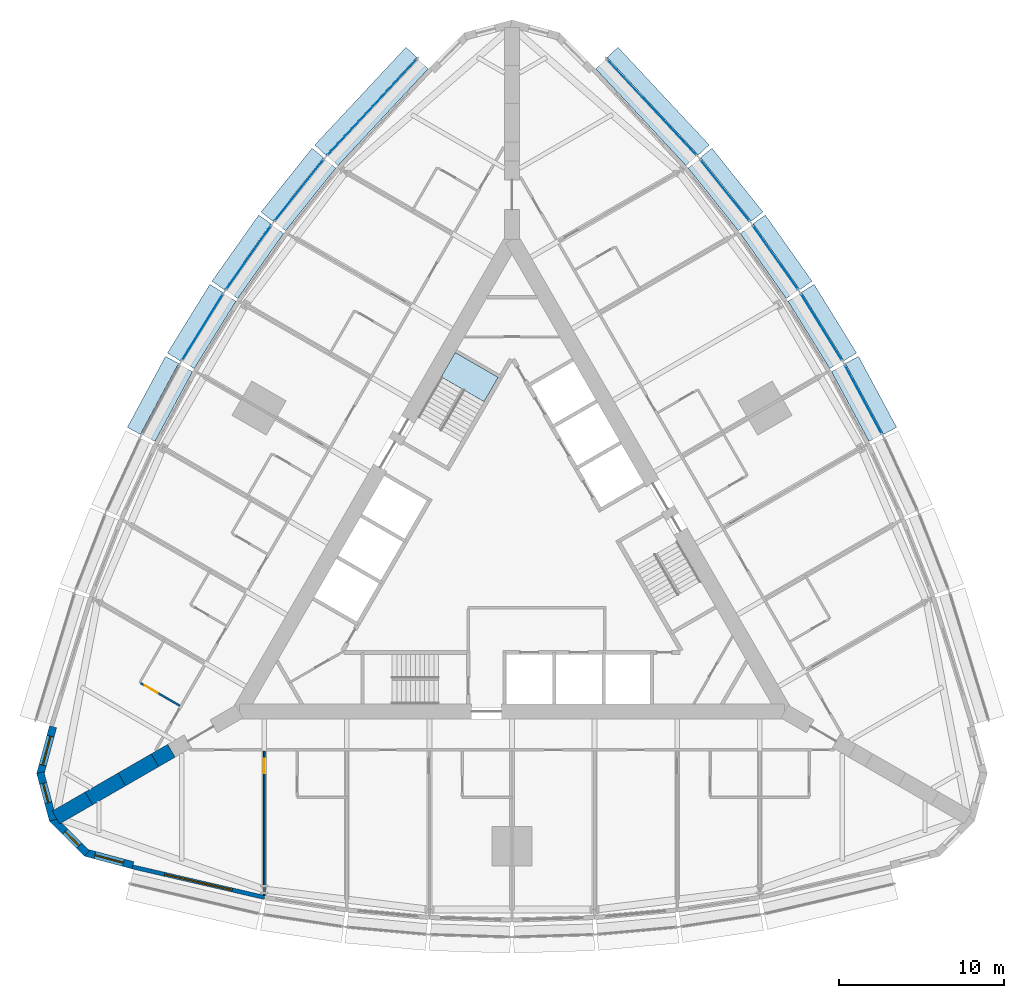
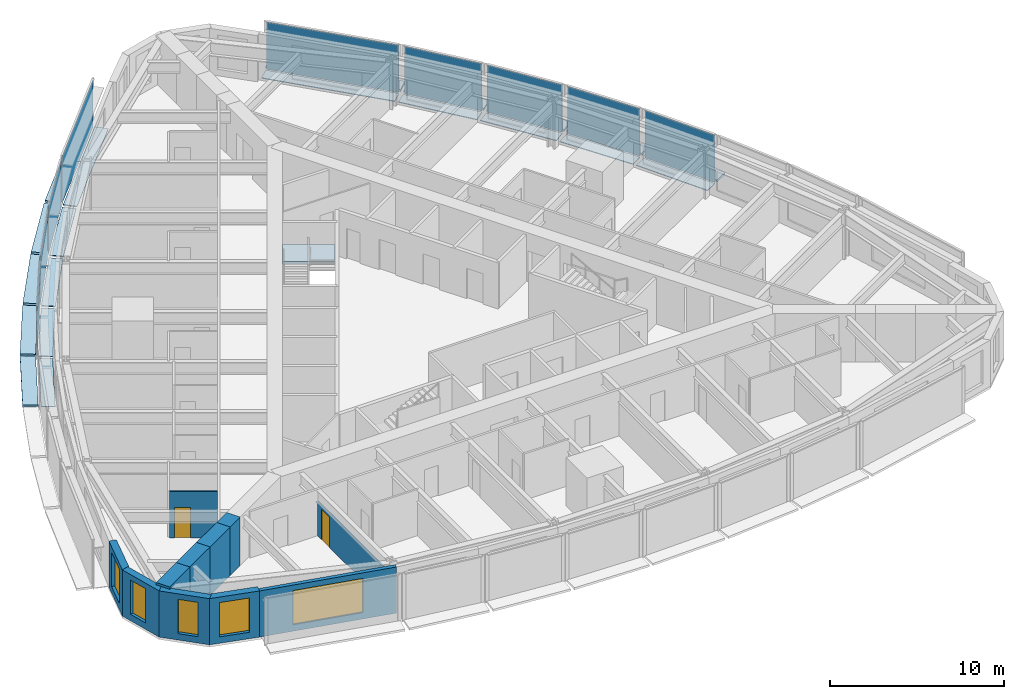
# One storey, part 7 of 14: 29 plates, 11 walls, 5 windows, 2 doors, 1 slab, 7 openings, 10 elements without a shape of their own.
"""IFC4 building model written with IfcOpenShell, lengths in metres."""

from ifc_helpers import new_model, si_unit, direction, frame, frame_2d, origin, origin_2d, place, context, subcontext, project, spatial, polyline, rectangle, outline, extrude, material, layer, layer_set, type_object, element, fill, aggregate, save


model = new_model("IFC4")

# Units and contexts
model_context = context("Model", 3, precision=1e-05, world=origin(), true_north=direction((0.0, 1.0)))
body_context = subcontext(model_context, "Body", "Model", "MODEL_VIEW")
ifc_project = project(units=[si_unit("LENGTHUNIT", "METRE"), si_unit("AREAUNIT", "SQUARE_METRE"), si_unit("VOLUMEUNIT", "CUBIC_METRE"), si_unit("PLANEANGLEUNIT", "RADIAN"), si_unit("MASSUNIT", "GRAM", prefix="KILO")], contexts=[model_context])

# Site, building, storey
site_placement = place(None, origin())
site = spatial("IfcSite", under=ifc_project, at=site_placement, CompositionType="ELEMENT")
building_placement = place(site_placement, origin())
building = spatial("IfcBuilding", under=site, at=building_placement, Name="Trikona Tower", CompositionType="ELEMENT")
storey_placement = place(building_placement, frame((0.0, 0.0, 96.5)))
storey = spatial("IfcBuildingStorey", under=building, at=storey_placement, Name="L25", CompositionType="ELEMENT", Elevation=96.5)

# Plates
ifc_material_1 = material(Name="Aluminium bar grating", Category="aluminium")
ifc_layer_1 = layer(ifc_material_1, 0.050048828125)
ifc_layer_set_1 = layer_set([ifc_layer_1], Name="Cavity catwalk grating")
plate_type_1 = type_object("IfcPlateType", Name="Cavity catwalk grating", PredefinedType="USERDEFINED", material=ifc_layer_set_1)
for number, where, z_axis, x_axis, name in (
    (1, (20.833740234375, 9.127197265625, -0.0498046875), (0.0, 0.0, 1.0), (-0.473422672721, 0.880835383572, 0.0), "Cavity catwalk L25-15"),
    (2, (18.3212890625, 13.47900390625, -0.0498046875), (0.0, 0.0, 1.0), (-0.526118935114, 0.85041099835, 0.0), "Cavity catwalk L25-16"),
):
    element("IfcPlate", number, at=place(storey_placement, frame(where, z_axis=z_axis, x_axis=x_axis)), inside=storey, type_object=plate_type_1, Name=name, ObjectType="CATWALK GRATING", PredefinedType="USERDEFINED", context=body_context, shape_type="SweptSolid", body=[
        extrude(rectangle(XDim=4.80224609375, YDim=0.820068359375, at=origin_2d()), origin(), (0.0, 0.0, 1.0), 0.050048828125),
    ])
plate_1_placement = place(storey_placement, frame((15.544189453125, 17.677734375, -0.0498046875), z_axis=(0.0, 0.0, 1.0), x_axis=(-0.576661909499, 0.816982889743, 0.0)))
element("IfcPlate", 3, at=plate_1_placement, inside=storey, type_object=plate_type_1, Name="Cavity catwalk L25-17", ObjectType="CATWALK GRATING", PredefinedType="USERDEFINED", context=body_context, shape_type="SweptSolid", body=[
    extrude(rectangle(XDim=4.82080078125, YDim=0.820068359375, at=origin_2d()), origin(), (0.0, 0.0, 1.0), 0.050048828125),
])
plate_2_placement = place(storey_placement, frame((12.502197265625, 21.72314453125, -0.0498046875), z_axis=(0.0, 0.0, 1.0), x_axis=(-0.624603618277, 0.780941944087, 0.0)))
element("IfcPlate", 4, at=plate_2_placement, inside=storey, type_object=plate_type_1, Name="Cavity catwalk L25-18", ObjectType="CATWALK GRATING", PredefinedType="USERDEFINED", context=body_context, shape_type="SweptSolid", body=[
    extrude(rectangle(XDim=4.857666015625, YDim=0.820068359375, at=origin_2d()), origin(), (0.0, 0.0, 1.0), 0.050048828125),
])
for number, where, z_axis, x_axis, name in (
    (5, (8.10107421875, 26.72314453125, -0.0498046875), (0.0, 0.0, 1.0), (-0.682298269147, 0.731073916864, 0.0), "Cavity catwalk L25-19"),
    (6, (-8.10107421875, 26.72314453125, -0.0498046875), (0.0, 0.0, 1.0), (-0.682298269147, -0.731073916864, 0.0), "Cavity catwalk L25-24"),
):
    element("IfcPlate", number, at=place(storey_placement, frame(where, z_axis=z_axis, x_axis=x_axis)), inside=storey, type_object=plate_type_1, Name=name, ObjectType="CATWALK GRATING", PredefinedType="USERDEFINED", context=body_context, shape_type="SweptSolid", body=[
        extrude(rectangle(XDim=8.01123046875, YDim=0.820068359375, at=origin_2d()), origin(), (0.0, 0.0, 1.0), 0.050048828125),
    ])
plate_3_placement = place(storey_placement, frame((-12.502197265625, 21.72314453125, -0.0498046875), z_axis=(0.0, 0.0, 1.0), x_axis=(-0.624603618277, -0.780941944087, 0.0)))
element("IfcPlate", 7, at=plate_3_placement, inside=storey, type_object=plate_type_1, Name="Cavity catwalk L25-25", ObjectType="CATWALK GRATING", PredefinedType="USERDEFINED", context=body_context, shape_type="SweptSolid", body=[
    extrude(rectangle(XDim=4.857666015625, YDim=0.820068359375, at=origin_2d()), origin(), (0.0, 0.0, 1.0), 0.050048828125),
])
plate_4_placement = place(storey_placement, frame((-15.544189453125, 17.677734375, -0.0498046875), z_axis=(0.0, 0.0, 1.0), x_axis=(-0.576661909499, -0.816982889743, 0.0)))
element("IfcPlate", 8, at=plate_4_placement, inside=storey, type_object=plate_type_1, Name="Cavity catwalk L25-26", ObjectType="CATWALK GRATING", PredefinedType="USERDEFINED", context=body_context, shape_type="SweptSolid", body=[
    extrude(rectangle(XDim=4.82080078125, YDim=0.820068359375, at=origin_2d()), origin(), (0.0, 0.0, 1.0), 0.050048828125),
])
for number, where, z_axis, x_axis, name in (
    (9, (-18.3212890625, 13.47900390625, -0.0498046875), (0.0, 0.0, 1.0), (-0.526118935114, -0.85041099835, 0.0), "Cavity catwalk L25-27"),
    (10, (-20.833740234375, 9.127197265625, -0.0498046875), (0.0, 0.0, 1.0), (-0.473422672721, -0.880835383572, 0.0), "Cavity catwalk L25-28"),
):
    element("IfcPlate", number, at=place(storey_placement, frame(where, z_axis=z_axis, x_axis=x_axis)), inside=storey, type_object=plate_type_1, Name=name, ObjectType="CATWALK GRATING", PredefinedType="USERDEFINED", context=body_context, shape_type="SweptSolid", body=[
        extrude(rectangle(XDim=4.80224609375, YDim=0.820068359375, at=origin_2d()), origin(), (0.0, 0.0, 1.0), 0.050048828125),
    ])

# Curtain wall, plate
ifc_material_2 = material(Name="Aluminium curtain wall system", Category="aluminium")
curtain_wall_type = type_object("IfcCurtainWallType", Name="Curtain wall DS1", PredefinedType="NOTDEFINED", material=ifc_material_2)
curtain_wall_1_placement = place(storey_placement, origin())
curtain_wall_1 = element("IfcCurtainWall", 11, at=curtain_wall_1_placement, inside=storey, type_object=curtain_wall_type, Name="Curtain wall DS1 L25", PredefinedType="NOTDEFINED")
ifc_material_3 = material(Name="Laminated clear glass", Category="glass")
ifc_layer_2 = layer(ifc_material_3, 0.028076171875)
ifc_layer_set_2 = layer_set([ifc_layer_2], Name="Glass panel DS1")
plate_type_2 = type_object("IfcPlateType", Name="Glass panel DS1", PredefinedType="CURTAIN_PANEL", material=ifc_layer_set_2)
plate_5_placement = place(storey_placement, frame((21.265380859375, 9.359130859375, 0.0), z_axis=(0.0, 0.0, 1.0), x_axis=(-0.473408350896, 0.880843080975, 0.0)))
plate_5 = element("IfcPlate", 12, at=plate_5_placement, type_object=plate_type_2, Name="CW-DS1 panel 1.1", PredefinedType="CURTAIN_PANEL", context=body_context, shape_type="SweptSolid", body=[
    extrude(rectangle(XDim=4.72216796875, YDim=0.028076171875, at=origin_2d()), origin(), (0.0, 0.0, 1.0), 3.320068359375),
])
aggregate(curtain_wall_1, [plate_5])

curtain_wall_2_placement = place(storey_placement, origin())
curtain_wall_2 = element("IfcCurtainWall", 13, at=curtain_wall_2_placement, inside=storey, type_object=curtain_wall_type, Name="Curtain wall DS1 L25", PredefinedType="NOTDEFINED")
plate_6_placement = place(storey_placement, frame((18.738037109375, 13.73681640625, 0.0), z_axis=(0.0, 0.0, 1.0), x_axis=(-0.526119790842, 0.850410468941, 0.0)))
plate_6 = element("IfcPlate", 14, at=plate_6_placement, type_object=plate_type_2, Name="CW-DS1 panel 1.1", PredefinedType="CURTAIN_PANEL", context=body_context, shape_type="SweptSolid", body=[
    extrude(rectangle(XDim=4.722412109375, YDim=0.028076171875, at=origin_2d()), origin(), (0.0, 0.0, 1.0), 3.320068359375),
])
aggregate(curtain_wall_2, [plate_6])

curtain_wall_3_placement = place(storey_placement, origin())
curtain_wall_3 = element("IfcCurtainWall", 15, at=curtain_wall_3_placement, inside=storey, type_object=curtain_wall_type, Name="Curtain wall DS1 L25", PredefinedType="NOTDEFINED")
plate_7_placement = place(storey_placement, frame((15.9443359375, 17.960205078125, 0.0), z_axis=(0.0, 0.0, 1.0), x_axis=(-0.576658362928, 0.816985393055, 0.0)))
plate_7 = element("IfcPlate", 16, at=plate_7_placement, type_object=plate_type_2, Name="CW-DS1 panel 1.1", PredefinedType="CURTAIN_PANEL", context=body_context, shape_type="SweptSolid", body=[
    extrude(rectangle(XDim=4.74072265625, YDim=0.028076171875, at=origin_2d()), origin(), (0.0, 0.0, 1.0), 3.320068359375),
])
aggregate(curtain_wall_3, [plate_7])

curtain_wall_4_placement = place(storey_placement, origin())
curtain_wall_4 = element("IfcCurtainWall", 17, at=curtain_wall_4_placement, inside=storey, type_object=curtain_wall_type, Name="Curtain wall DS1 L25", PredefinedType="NOTDEFINED")
plate_8_placement = place(storey_placement, frame((12.884765625, 22.029296875, 0.0), z_axis=(0.0, 0.0, 1.0), x_axis=(-0.624608599951, 0.780937959679, 0.0)))
plate_8 = element("IfcPlate", 18, at=plate_8_placement, type_object=plate_type_2, Name="CW-DS1 panel 1.1", PredefinedType="CURTAIN_PANEL", context=body_context, shape_type="SweptSolid", body=[
    extrude(rectangle(XDim=4.777587890625, YDim=0.028076171875, at=origin_2d()), origin(), (0.0, 0.0, 1.0), 3.320068359375),
])
aggregate(curtain_wall_4, [plate_8])

curtain_wall_5_placement = place(storey_placement, origin())
curtain_wall_5 = element("IfcCurtainWall", 19, at=curtain_wall_5_placement, inside=storey, type_object=curtain_wall_type, Name="Curtain wall DS1 L25", PredefinedType="NOTDEFINED")
plate_9_placement = place(storey_placement, frame((8.459228515625, 27.057373046875, 0.0), z_axis=(0.0, 0.0, 1.0), x_axis=(-0.682295351967, 0.731076639405, 0.0)))
plate_9 = element("IfcPlate", 20, at=plate_9_placement, type_object=plate_type_2, Name="CW-DS1 panel 1.1", PredefinedType="CURTAIN_PANEL", context=body_context, shape_type="SweptSolid", body=[
    extrude(rectangle(XDim=7.93115234375, YDim=0.028076171875, at=origin_2d()), origin(), (0.0, 0.0, 1.0), 3.320068359375),
])
aggregate(curtain_wall_5, [plate_9])

curtain_wall_6_placement = place(storey_placement, origin())
curtain_wall_6 = element("IfcCurtainWall", 21, at=curtain_wall_6_placement, inside=storey, type_object=curtain_wall_type, Name="Curtain wall DS1 L25", PredefinedType="NOTDEFINED")
plate_10_placement = place(storey_placement, frame((-8.459228515625, 27.057373046875, 0.0), z_axis=(0.0, 0.0, 1.0), x_axis=(-0.682295351967, -0.731076639405, 0.0)))
plate_10 = element("IfcPlate", 22, at=plate_10_placement, type_object=plate_type_2, Name="CW-DS1 panel 1.1", PredefinedType="CURTAIN_PANEL", context=body_context, shape_type="SweptSolid", body=[
    extrude(rectangle(XDim=7.93115234375, YDim=0.028076171875, at=origin_2d()), origin(), (0.0, 0.0, 1.0), 3.320068359375),
])
aggregate(curtain_wall_6, [plate_10])

curtain_wall_7_placement = place(storey_placement, origin())
curtain_wall_7 = element("IfcCurtainWall", 23, at=curtain_wall_7_placement, inside=storey, type_object=curtain_wall_type, Name="Curtain wall DS1 L25", PredefinedType="NOTDEFINED")
plate_11_placement = place(storey_placement, frame((-12.884765625, 22.029296875, 0.0), z_axis=(0.0, 0.0, 1.0), x_axis=(-0.624608599951, -0.780937959679, 0.0)))
plate_11 = element("IfcPlate", 24, at=plate_11_placement, type_object=plate_type_2, Name="CW-DS1 panel 1.1", PredefinedType="CURTAIN_PANEL", context=body_context, shape_type="SweptSolid", body=[
    extrude(rectangle(XDim=4.777587890625, YDim=0.028076171875, at=origin_2d()), origin(), (0.0, 0.0, 1.0), 3.320068359375),
])
aggregate(curtain_wall_7, [plate_11])

curtain_wall_8_placement = place(storey_placement, origin())
curtain_wall_8 = element("IfcCurtainWall", 25, at=curtain_wall_8_placement, inside=storey, type_object=curtain_wall_type, Name="Curtain wall DS1 L25", PredefinedType="NOTDEFINED")
plate_12_placement = place(storey_placement, frame((-15.9443359375, 17.960205078125, 0.0), z_axis=(0.0, 0.0, 1.0), x_axis=(-0.576658362928, -0.816985393055, 0.0)))
plate_12 = element("IfcPlate", 26, at=plate_12_placement, type_object=plate_type_2, Name="CW-DS1 panel 1.1", PredefinedType="CURTAIN_PANEL", context=body_context, shape_type="SweptSolid", body=[
    extrude(rectangle(XDim=4.74072265625, YDim=0.028076171875, at=origin_2d()), origin(), (0.0, 0.0, 1.0), 3.320068359375),
])
aggregate(curtain_wall_8, [plate_12])

curtain_wall_9_placement = place(storey_placement, origin())
curtain_wall_9 = element("IfcCurtainWall", 27, at=curtain_wall_9_placement, inside=storey, type_object=curtain_wall_type, Name="Curtain wall DS1 L25", PredefinedType="NOTDEFINED")
plate_13_placement = place(storey_placement, frame((-18.738037109375, 13.73681640625, 0.0), z_axis=(0.0, 0.0, 1.0), x_axis=(-0.526119790842, -0.850410468941, 0.0)))
plate_13 = element("IfcPlate", 28, at=plate_13_placement, type_object=plate_type_2, Name="CW-DS1 panel 1.1", PredefinedType="CURTAIN_PANEL", context=body_context, shape_type="SweptSolid", body=[
    extrude(rectangle(XDim=4.722412109375, YDim=0.028076171875, at=origin_2d()), origin(), (0.0, 0.0, 1.0), 3.320068359375),
])
aggregate(curtain_wall_9, [plate_13])

# Plates
ifc_material_4 = material(Name="Aluminium plate fin, pale anodised, on stainless steel outriggers", Category="steel")
ifc_layer_3 = layer(ifc_material_4, 0.14990234375)
ifc_layer_set_3 = layer_set([ifc_layer_3], Name="Outer skin fin 900")
plate_type_3 = type_object("IfcPlateType", Name="Outer skin fin 900", PredefinedType="USERDEFINED", material=ifc_layer_set_3)
for number, where, z_axis, x_axis, name in (
    (29, (21.732421875, 9.610107421875, 0.0), (0.0, 0.0, 1.0), (-0.473422672721, 0.880835383572, 0.0), "Outer skin fin L25-15"),
    (30, (19.188720703125, 14.015625, 0.0), (0.0, 0.0, 1.0), (-0.526118935114, 0.85041099835, 0.0), "Outer skin fin L25-16"),
):
    element("IfcPlate", number, at=place(storey_placement, frame(where, z_axis=z_axis, x_axis=x_axis)), inside=storey, type_object=plate_type_3, Name=name, ObjectType="FIN", PredefinedType="USERDEFINED", context=body_context, shape_type="SweptSolid", body=[
        extrude(rectangle(XDim=4.88232421875, YDim=0.89990234375, at=origin_2d()), origin(), (0.0, 0.0, 1.0), 0.14990234375),
    ])
plate_14_placement = place(storey_placement, frame((16.37744140625, 18.265869140625, 0.0), z_axis=(0.0, 0.0, 1.0), x_axis=(-0.576661909499, 0.816982889743, 0.0)))
element("IfcPlate", 31, at=plate_14_placement, inside=storey, type_object=plate_type_3, Name="Outer skin fin L25-17", ObjectType="FIN", PredefinedType="USERDEFINED", context=body_context, shape_type="SweptSolid", body=[
    extrude(rectangle(XDim=4.90087890625, YDim=0.89990234375, at=origin_2d()), origin(), (0.0, 0.0, 1.0), 0.14990234375),
])
plate_15_placement = place(storey_placement, frame((13.298583984375, 22.360107421875, 0.0), z_axis=(0.0, 0.0, 1.0), x_axis=(-0.624603618277, 0.780941944087, 0.0)))
element("IfcPlate", 32, at=plate_15_placement, inside=storey, type_object=plate_type_3, Name="Outer skin fin L25-18", ObjectType="FIN", PredefinedType="USERDEFINED", context=body_context, shape_type="SweptSolid", body=[
    extrude(rectangle(XDim=4.9375, YDim=0.89990234375, at=origin_2d()), origin(), (0.0, 0.0, 1.0), 0.14990234375),
])
for number, where, z_axis, x_axis, name in (
    (33, (8.8466796875, 27.419189453125, 0.0), (0.0, 0.0, 1.0), (-0.682298269147, 0.731073916864, 0.0), "Outer skin fin L25-19"),
    (34, (-8.8466796875, 27.419189453125, 0.0), (0.0, 0.0, 1.0), (-0.682298269147, -0.731073916864, 0.0), "Outer skin fin L25-24"),
):
    element("IfcPlate", number, at=place(storey_placement, frame(where, z_axis=z_axis, x_axis=x_axis)), inside=storey, type_object=plate_type_3, Name=name, ObjectType="FIN", PredefinedType="USERDEFINED", context=body_context, shape_type="SweptSolid", body=[
        extrude(rectangle(XDim=8.09130859375, YDim=0.89990234375, at=origin_2d()), origin(), (0.0, 0.0, 1.0), 0.14990234375),
    ])
plate_16_placement = place(storey_placement, frame((-13.298583984375, 22.360107421875, 0.0), z_axis=(0.0, 0.0, 1.0), x_axis=(-0.624603618277, -0.780941944087, 0.0)))
element("IfcPlate", 35, at=plate_16_placement, inside=storey, type_object=plate_type_3, Name="Outer skin fin L25-25", ObjectType="FIN", PredefinedType="USERDEFINED", context=body_context, shape_type="SweptSolid", body=[
    extrude(rectangle(XDim=4.9375, YDim=0.89990234375, at=origin_2d()), origin(), (0.0, 0.0, 1.0), 0.14990234375),
])
plate_17_placement = place(storey_placement, frame((-16.37744140625, 18.265869140625, 0.0), z_axis=(0.0, 0.0, 1.0), x_axis=(-0.576661909499, -0.816982889743, 0.0)))
element("IfcPlate", 36, at=plate_17_placement, inside=storey, type_object=plate_type_3, Name="Outer skin fin L25-26", ObjectType="FIN", PredefinedType="USERDEFINED", context=body_context, shape_type="SweptSolid", body=[
    extrude(rectangle(XDim=4.90087890625, YDim=0.89990234375, at=origin_2d()), origin(), (0.0, 0.0, 1.0), 0.14990234375),
])
for number, where, z_axis, x_axis, name in (
    (37, (-19.188720703125, 14.015625, 0.0), (0.0, 0.0, 1.0), (-0.526118935114, -0.85041099835, 0.0), "Outer skin fin L25-27"),
    (38, (-21.732421875, 9.610107421875, 0.0), (0.0, 0.0, 1.0), (-0.473422672721, -0.880835383572, 0.0), "Outer skin fin L25-28"),
):
    element("IfcPlate", number, at=place(storey_placement, frame(where, z_axis=z_axis, x_axis=x_axis)), inside=storey, type_object=plate_type_3, Name=name, ObjectType="FIN", PredefinedType="USERDEFINED", context=body_context, shape_type="SweptSolid", body=[
        extrude(rectangle(XDim=4.88232421875, YDim=0.89990234375, at=origin_2d()), origin(), (0.0, 0.0, 1.0), 0.14990234375),
    ])

# Stair, slab
ifc_material_5 = material(Name="Concrete f'c 5000 psi", Category="concrete")
stair_type = type_object("IfcStairType", Name="Core stair", PredefinedType="HALF_TURN_STAIR", material=ifc_material_5)
stair_placement = place(storey_placement, origin())
stair = element("IfcStair", 39, at=stair_placement, inside=storey, type_object=stair_type, Name="Stair C L25", PredefinedType="HALF_TURN_STAIR")
ifc_material_6 = material(Name="Concrete f'c 5000 psi", Category="concrete")
ifc_layer_4 = layer(ifc_material_6, 0.199951171875)
ifc_layer_set_4 = layer_set([ifc_layer_4], Name="Stair landing 200")
slab_type = type_object("IfcSlabType", Name="Stair landing 200", PredefinedType="LANDING", material=ifc_layer_set_4)
slab_placement = place(storey_placement, frame((0.0, 0.0, 1.5)))
slab = element("IfcSlab", 40, at=slab_placement, type_object=slab_type, Name="ST-C landing 2", PredefinedType="LANDING", context=body_context, shape_type="SweptSolid", body=[
    extrude(outline(polyline([(-0.837158203125, 10.702392578125), (-1.688720703125, 9.2275390625), (-4.286865234375, 10.7275390625), (-3.435302734375, 12.202392578125), (-0.837158203125, 10.702392578125)])), origin(), (0.0, 0.0, 1.0), 0.199951171875),
])
aggregate(stair, [slab])

# Wall, opening, door
ifc_material_7 = material(Name="Metal stud and cement board", Category="gypsum")
ifc_layer_5 = layer(ifc_material_7, 0.1201171875)
ifc_layer_set_5 = layer_set([ifc_layer_5], Name="Bathroom wall 120")
wall_type_1 = type_object("IfcWallType", Name="Bathroom wall 120", PredefinedType="PLUMBINGWALL", material=ifc_layer_set_5)
wall_1_placement = place(storey_placement, frame((-20.10791015625, -9.17529296875, 0.0), z_axis=(0.0, 0.0, 1.0), x_axis=(-0.866035715982, 0.499982138324, 0.0)))
wall_1 = element("IfcWall", 41, at=wall_1_placement, inside=storey, type_object=wall_type_1, Name="Bathroom wall 2514", PredefinedType="PLUMBINGWALL", context=body_context, shape_type="SweptSolid", body=[
    extrude(rectangle(XDim=2.73974609375, YDim=0.1201171875, at=frame_2d((1.369873046875, 0.0))), origin(), (0.0, 0.0, 1.0), 3.235107421875),
])
opening_1_placement = place(wall_1_placement, frame((1.550048828125, 0.0, 0.0)))
opening_1 = element("IfcOpeningElement", 42, at=opening_1_placement, cuts=wall_1, Name="Opening D2", PredefinedType="OPENING", context=body_context, shape_type="SweptSolid", body=[
    extrude(rectangle(XDim=0.89990234375, YDim=2.1298828125, at=frame_2d((0.449951171875, 1.06494140625))), frame((0.0, 0.070068359375, 0.0), z_axis=(0.0, -1.0, 0.0), x_axis=(1.0, 0.0, 0.0)), (0.0, 0.0, 1.0), 0.14013671875),
])
ifc_material_8 = material(Name="Steel door frame with solid-core timber leaf", Category="steel")
door_type_1 = type_object("IfcDoorType", Name="Bathroom door 900x2130", OperationType="SLIDING_TO_LEFT", PredefinedType="DOOR", material=ifc_material_8)
door_1_placement = place(opening_1_placement, origin())
door_1 = element("IfcDoor", 43, at=door_1_placement, inside=storey, type_object=door_type_1, Name="Bathroom door 2514", OperationType="SLIDING_TO_LEFT", OverallHeight=2.1298828125, OverallWidth=0.89990234375, PredefinedType="DOOR", context=body_context, shape_type="SweptSolid", body=[
    extrude(rectangle(XDim=0.89990234375, YDim=2.1298828125, at=frame_2d((0.449951171875, 1.06494140625))), frame((0.0, 0.02490234375, 0.0), z_axis=(0.0, -1.0, 0.0), x_axis=(1.0, 0.0, 0.0)), (0.0, 0.0, 1.0), 0.050048828125),
])
fill(opening_1, door_1)

# Wall, opening, window
ifc_material_9 = material(Name="Brick-faced precast concrete", Category="masonry")
ifc_layer_6 = layer(ifc_material_9, 0.449951171875)
ifc_layer_set_6 = layer_set([ifc_layer_6], Name="Brick-faced corner wall 450")
wall_type_2 = type_object("IfcWallType", Name="Brick-faced corner wall 450", PredefinedType="SOLIDWALL", material=ifc_layer_set_6)
wall_2_placement = place(storey_placement, frame((-27.78271484375, -10.450439453125, 0.0), z_axis=(0.0, 0.0, 1.0), x_axis=(-0.258780998834, -0.965936019953, 0.0)))
wall_2 = element("IfcWall", 44, at=wall_2_placement, inside=storey, type_object=wall_type_2, Name="External wall L25-32", PredefinedType="SOLIDWALL", context=body_context, shape_type="SweptSolid", body=[
    extrude(rectangle(XDim=2.98876953125, YDim=0.449951171875, at=frame_2d((1.494384765625, 0.0))), origin(), (0.0, 0.0, 1.0), 3.235107421875),
])
opening_2_placement = place(wall_2_placement, frame((0.59423828125, 0.0, 0.449951171875)))
opening_2 = element("IfcOpeningElement", 45, at=opening_2_placement, cuts=wall_2, Name="Opening W1824", PredefinedType="OPENING", context=body_context, shape_type="SweptSolid", body=[
    extrude(rectangle(XDim=1.800048828125, YDim=2.39990234375, at=frame_2d((0.89990234375, 1.199951171875))), frame((0.0, 0.23486328125, 0.0), z_axis=(0.0, -1.0, 0.0), x_axis=(1.0, 0.0, 0.0)), (0.0, 0.0, 1.0), 0.469970703125),
])
ifc_material_10 = material(Name="Aluminium-framed double glazing", Category="aluminium")
window_type_1 = type_object("IfcWindowType", Name="Window 1800x2400", PartitioningType="SINGLE_PANEL", PredefinedType="WINDOW", material=ifc_material_10)
window_1_placement = place(opening_2_placement, origin())
window_1 = element("IfcWindow", 46, at=window_1_placement, inside=storey, type_object=window_type_1, Name="Window 2514", OverallHeight=2.39990234375, OverallWidth=1.800048828125, PartitioningType="SINGLE_PANEL", PredefinedType="WINDOW", context=body_context, shape_type="SweptSolid", body=[
    extrude(rectangle(XDim=1.800048828125, YDim=2.39990234375, at=frame_2d((0.89990234375, 1.199951171875))), frame((0.0, 0.030029296875, 0.0), z_axis=(0.0, -1.0, 0.0), x_axis=(1.0, 0.0, 0.0)), (0.0, 0.0, 1.0), 0.06005859375),
])
fill(opening_2, window_1)

wall_3_placement = place(storey_placement, frame((-28.55615234375, -13.220947265625, 0.0), z_axis=(0.0, 0.0, 1.0), x_axis=(0.258801419081, -0.965930548995, 0.0)))
wall_3 = element("IfcWall", 47, at=wall_3_placement, inside=storey, type_object=wall_type_2, Name="External wall L25-33", PredefinedType="SOLIDWALL", context=body_context, shape_type="SweptSolid", body=[
    extrude(outline(polyline([(2.988525390625, 0.22509765625), (2.928955078125, 0.22509765625), (2.437255859375, 0.09326171875), (2.402099609375, 0.22509765625), (0.0, 0.22509765625), (0.0, -0.22509765625), (2.988525390625, -0.22509765625), (2.988525390625, 0.22509765625)])), origin(), (0.0, 0.0, 1.0), 3.235107421875),
])
opening_3_placement = place(wall_3_placement, frame((0.676025390625, 0.0, 0.449951171875)))
opening_3 = element("IfcOpeningElement", 48, at=opening_3_placement, cuts=wall_3, Name="Opening W1224", PredefinedType="OPENING", context=body_context, shape_type="SweptSolid", body=[
    extrude(rectangle(XDim=1.199951171875, YDim=2.39990234375, at=frame_2d((0.60009765625, 1.199951171875))), frame((0.0, 0.23486328125, 0.0), z_axis=(0.0, -1.0, 0.0), x_axis=(1.0, 0.0, 0.0)), (0.0, 0.0, 1.0), 0.469970703125),
])
ifc_material_11 = material(Name="Aluminium-framed double glazing", Category="aluminium")
window_type_2 = type_object("IfcWindowType", Name="Window 1200x2400", PartitioningType="SINGLE_PANEL", PredefinedType="WINDOW", material=ifc_material_11)
window_2_placement = place(opening_3_placement, origin())
window_2 = element("IfcWindow", 49, at=window_2_placement, inside=storey, type_object=window_type_2, Name="Window 2514", OverallHeight=2.39990234375, OverallWidth=1.199951171875, PartitioningType="SINGLE_PANEL", PredefinedType="WINDOW", context=body_context, shape_type="SweptSolid", body=[
    extrude(rectangle(XDim=1.199951171875, YDim=2.39990234375, at=frame_2d((0.60009765625, 1.199951171875))), frame((0.0, 0.030029296875, 0.0), z_axis=(0.0, -1.0, 0.0), x_axis=(1.0, 0.0, 0.0)), (0.0, 0.0, 1.0), 0.06005859375),
])
fill(opening_3, window_2)

wall_4_placement = place(storey_placement, frame((-27.8408203125, -16.006591796875, 0.0), z_axis=(0.0, 0.0, 1.0), x_axis=(0.707025086683, -0.707188466253, 0.0)))
wall_4 = element("IfcWall", 50, at=wall_4_placement, inside=storey, type_object=wall_type_2, Name="External wall L25-34", PredefinedType="SOLIDWALL", context=body_context, shape_type="SweptSolid", body=[
    extrude(outline(polyline([(2.988525390625, 0.22509765625), (0.58642578125, 0.22509765625), (0.551025390625, 0.093017578125), (0.058837890625, 0.22509765625), (0.0, 0.22509765625), (0.0, -0.22509765625), (2.988525390625, -0.22509765625), (2.988525390625, 0.22509765625)])), origin(), (0.0, 0.0, 1.0), 3.235107421875),
])
opening_4_placement = place(wall_4_placement, frame((1.112548828125, 0.0, 0.449951171875)))
opening_4 = element("IfcOpeningElement", 51, at=opening_4_placement, cuts=wall_4, Name="Opening W1224", PredefinedType="OPENING", context=body_context, shape_type="SweptSolid", body=[
    extrude(rectangle(XDim=1.199951171875, YDim=2.39990234375, at=frame_2d((0.60009765625, 1.199951171875))), frame((0.0, 0.23486328125, 0.0), z_axis=(0.0, -1.0, 0.0), x_axis=(1.0, 0.0, 0.0)), (0.0, 0.0, 1.0), 0.469970703125),
])
window_3_placement = place(opening_4_placement, origin())
window_3 = element("IfcWindow", 52, at=window_3_placement, inside=storey, type_object=window_type_2, Name="Window 2501", OverallHeight=2.39990234375, OverallWidth=1.199951171875, PartitioningType="SINGLE_PANEL", PredefinedType="WINDOW", context=body_context, shape_type="SweptSolid", body=[
    extrude(rectangle(XDim=1.199951171875, YDim=2.39990234375, at=frame_2d((0.60009765625, 1.199951171875))), frame((0.0, 0.030029296875, 0.0), z_axis=(0.0, -1.0, 0.0), x_axis=(1.0, 0.0, 0.0)), (0.0, 0.0, 1.0), 0.06005859375),
])
fill(opening_4, window_3)

wall_5_placement = place(storey_placement, frame((-25.82861328125, -18.061767578125, 0.0), z_axis=(0.0, 0.0, 1.0), x_axis=(0.965930548995, -0.258801419081, 0.0)))
wall_5 = element("IfcWall", 53, at=wall_5_placement, inside=storey, type_object=wall_type_2, Name="External wall L25-35", PredefinedType="SOLIDWALL", context=body_context, shape_type="SweptSolid", body=[
    extrude(rectangle(XDim=2.988525390625, YDim=0.449951171875, at=frame_2d((1.494140625, 0.0))), origin(), (0.0, 0.0, 1.0), 3.235107421875),
])
opening_5_placement = place(wall_5_placement, frame((0.59423828125, 0.0, 0.449951171875)))
opening_5 = element("IfcOpeningElement", 54, at=opening_5_placement, cuts=wall_5, Name="Opening W1824", PredefinedType="OPENING", context=body_context, shape_type="SweptSolid", body=[
    extrude(rectangle(XDim=1.800048828125, YDim=2.39990234375, at=frame_2d((0.89990234375, 1.199951171875))), frame((0.0, 0.23486328125, 0.0), z_axis=(0.0, -1.0, 0.0), x_axis=(1.0, 0.0, 0.0)), (0.0, 0.0, 1.0), 0.469970703125),
])
window_4_placement = place(opening_5_placement, origin())
window_4 = element("IfcWindow", 55, at=window_4_placement, inside=storey, type_object=window_type_1, Name="Window 2501", OverallHeight=2.39990234375, OverallWidth=1.800048828125, PartitioningType="SINGLE_PANEL", PredefinedType="WINDOW", context=body_context, shape_type="SweptSolid", body=[
    extrude(rectangle(XDim=1.800048828125, YDim=2.39990234375, at=frame_2d((0.89990234375, 1.199951171875))), frame((0.0, 0.030029296875, 0.0), z_axis=(0.0, -1.0, 0.0), x_axis=(1.0, 0.0, 0.0)), (0.0, 0.0, 1.0), 0.06005859375),
])
fill(opening_5, window_4)

# Walls
ifc_material_12 = material(Name="Concrete f'c 10000 psi", Category="concrete")
ifc_layer_7 = layer(ifc_material_12, 0.89990234375)
ifc_layer_set_7 = layer_set([ifc_layer_7], Name="Buttress wall 900")
wall_type_3 = type_object("IfcWallType", Name="Buttress wall 900", PredefinedType="SHEAR", material=ifc_layer_set_7)
wall_6_placement = place(storey_placement, frame((-20.6103515625, -11.8994140625, 0.0), z_axis=(0.0, 0.0, 1.0), x_axis=(-0.866009537788, -0.500027479704, 0.0)))
element("IfcWall", 56, at=wall_6_placement, inside=storey, type_object=wall_type_3, Name="Buttress wall 3 part 2", PredefinedType="SHEAR", context=body_context, shape_type="SweptSolid", body=[
    extrude(rectangle(XDim=1.15478515625, YDim=0.89990234375, at=frame_2d((0.577392578125, 0.0))), origin(), (0.0, 0.0, 1.0), 3.39990234375),
])
for number, where, z_axis, x_axis, name in (
    (57, (-21.6103515625, -12.476806640625, 0.0), (0.0, 0.0, 1.0), (-0.866055313784, -0.499948190782, 0.0), "Buttress wall 3 part 3"),
    (58, (-23.6103515625, -13.63134765625, 0.0), (0.0, 0.0, 1.0), (-0.866009537788, -0.500027479704, 0.0), "Buttress wall 3 part 4"),
    (59, (-25.6103515625, -14.7861328125, 0.0), (0.0, 0.0, 1.0), (-0.866009537788, -0.500027479704, 0.0), "Buttress wall 3 part 5"),
):
    element("IfcWall", number, at=place(storey_placement, frame(where, z_axis=z_axis, x_axis=x_axis)), inside=storey, type_object=wall_type_3, Name=name, PredefinedType="SHEAR", context=body_context, shape_type="SweptSolid", body=[
        extrude(rectangle(XDim=2.309326171875, YDim=0.89990234375, at=frame_2d((1.15478515625, 0.0))), origin(), (0.0, 0.0, 1.0), 3.39990234375),
    ])

# Wall, opening, window
ifc_material_13 = material(Name="Insulated precast concrete spandrel panel", Category="concrete")
ifc_layer_8 = layer(ifc_material_13, 0.25)
ifc_layer_set_8 = layer_set([ifc_layer_8], Name="Inner skin wall 250")
wall_type_4 = type_object("IfcWallType", Name="Inner skin wall 250", PredefinedType="STANDARD", material=ifc_layer_set_8)
wall_7_placement = place(storey_placement, frame((-22.9716796875, -18.930908203125, 0.0), z_axis=(0.0, 0.0, 1.0), x_axis=(0.974279327392, -0.225343720163, 0.0)))
wall_7 = element("IfcWall", 60, at=wall_7_placement, inside=storey, type_object=wall_type_4, Name="External wall L25-00", PredefinedType="STANDARD", context=body_context, shape_type="SweptSolid", body=[
    extrude(rectangle(XDim=8.211181640625, YDim=0.25, at=frame_2d((4.10546875, 0.0))), origin(), (0.0, 0.0, 1.0), 3.235107421875),
])
opening_6_placement = place(wall_7_placement, frame((2.005615234375, 0.0, 0.449951171875)))
opening_6 = element("IfcOpeningElement", 61, at=opening_6_placement, cuts=wall_7, Name="Opening W4224", PredefinedType="OPENING", context=body_context, shape_type="SweptSolid", body=[
    extrude(rectangle(XDim=4.199951171875, YDim=2.39990234375, at=frame_2d((2.10009765625, 1.199951171875))), frame((0.0, 0.135009765625, 0.0), z_axis=(0.0, -1.0, 0.0), x_axis=(1.0, 0.0, 0.0)), (0.0, 0.0, 1.0), 0.27001953125),
])
ifc_material_14 = material(Name="Aluminium-framed double glazing", Category="aluminium")
window_type_3 = type_object("IfcWindowType", Name="Window 4200x2400", PartitioningType="SINGLE_PANEL", PredefinedType="WINDOW", material=ifc_material_14)
window_5_placement = place(opening_6_placement, origin())
window_5 = element("IfcWindow", 62, at=window_5_placement, inside=storey, type_object=window_type_3, Name="Window 2501", OverallHeight=2.39990234375, OverallWidth=4.199951171875, PartitioningType="SINGLE_PANEL", PredefinedType="WINDOW", context=body_context, shape_type="SweptSolid", body=[
    extrude(rectangle(XDim=4.199951171875, YDim=2.39990234375, at=frame_2d((2.10009765625, 1.199951171875))), frame((0.0, 0.030029296875, 0.0), z_axis=(0.0, -1.0, 0.0), x_axis=(1.0, 0.0, 0.0)), (0.0, 0.0, 1.0), 0.06005859375),
])
fill(opening_6, window_5)

# Wall, opening, door
ifc_material_15 = material(Name="Metal stud and gypsum board, acoustic", Category="gypsum")
ifc_layer_9 = layer(ifc_material_15, 0.10009765625)
ifc_layer_set_9 = layer_set([ifc_layer_9], Name="Suite partition 100")
wall_type_5 = type_object("IfcWallType", Name="Suite partition 100", PredefinedType="PARTITIONING", material=ifc_layer_set_9)
wall_8_placement = place(storey_placement, frame((-15.0, -11.92626953125, 0.0), z_axis=(0.0, 0.0, 1.0), x_axis=(0.0, -1.0, 0.0)))
wall_8 = element("IfcWall", 63, at=wall_8_placement, inside=storey, type_object=wall_type_5, Name="Suite partition L25 F1 u-15", PredefinedType="PARTITIONING", context=body_context, shape_type="SweptSolid", body=[
    extrude(rectangle(XDim=8.72021484375, YDim=0.10009765625, at=frame_2d((4.360107421875, 0.0))), origin(), (0.0, 0.0, 1.0), 2.38916015625),
])
opening_7_placement = place(wall_8_placement, frame((0.449951171875, 0.0, 0.0)))
opening_7 = element("IfcOpeningElement", 64, at=opening_7_placement, cuts=wall_8, Name="Opening D13", PredefinedType="OPENING", context=body_context, shape_type="SweptSolid", body=[
    extrude(rectangle(XDim=0.89990234375, YDim=2.1298828125, at=frame_2d((0.449951171875, 1.06494140625))), frame((0.0, 0.06005859375, 0.0), z_axis=(0.0, -1.0, 0.0), x_axis=(1.0, 0.0, 0.0)), (0.0, 0.0, 1.0), 0.1201171875),
])
ifc_material_16 = material(Name="Steel door frame with solid-core timber leaf", Category="steel")
door_type_2 = type_object("IfcDoorType", Name="Suite door 900x2130", OperationType="SINGLE_SWING_LEFT", PredefinedType="DOOR", material=ifc_material_16)
door_2_placement = place(opening_7_placement, origin())
door_2 = element("IfcDoor", 65, at=door_2_placement, inside=storey, type_object=door_type_2, Name="Suite door 2501", OperationType="SINGLE_SWING_LEFT", OverallHeight=2.1298828125, OverallWidth=0.89990234375, PredefinedType="DOOR", context=body_context, shape_type="SweptSolid", body=[
    extrude(rectangle(XDim=0.89990234375, YDim=2.1298828125, at=frame_2d((0.449951171875, 1.06494140625))), frame((0.0, 0.02490234375, 0.0), z_axis=(0.0, -1.0, 0.0), x_axis=(1.0, 0.0, 0.0)), (0.0, 0.0, 1.0), 0.050048828125),
])
fill(opening_7, door_2)

save(model, "model.ifc")
